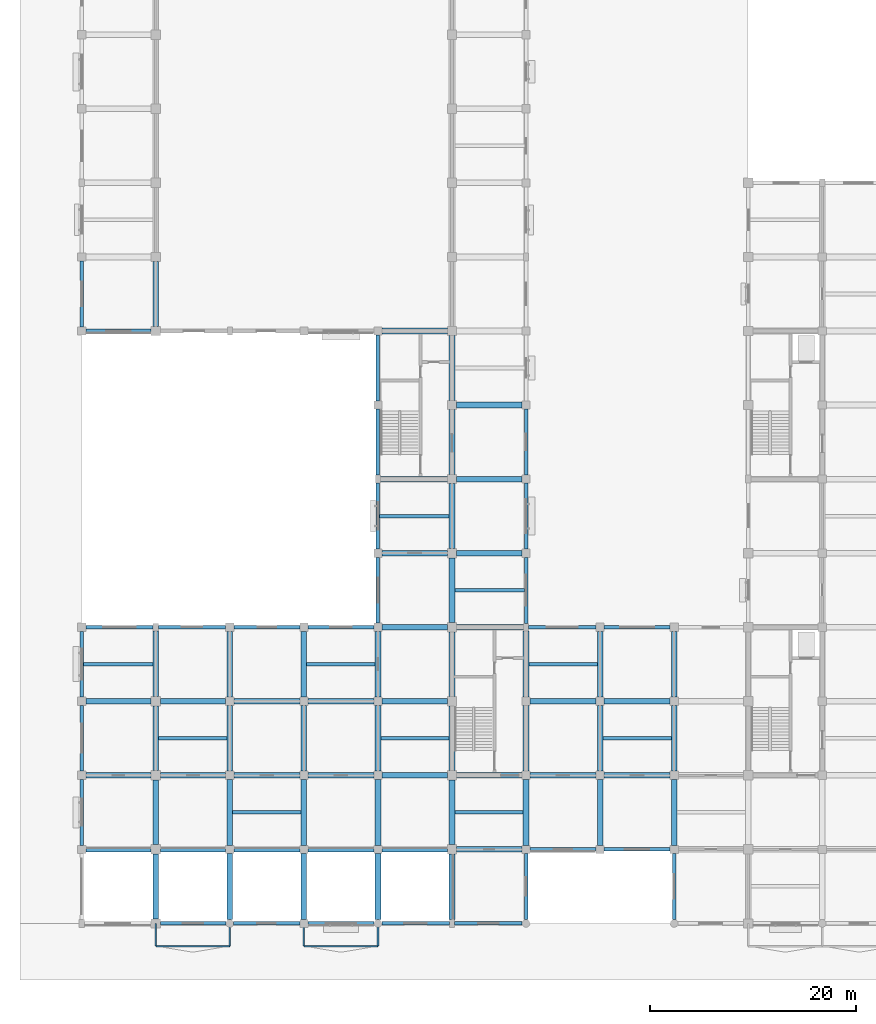
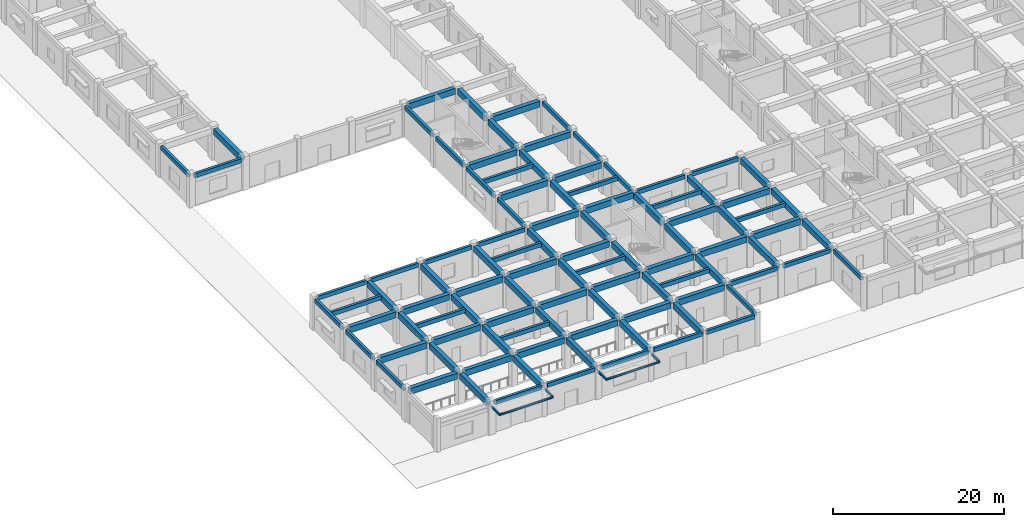
# One storey, part 2 of 37: 106 beams.
"""IFC4 building model written with IfcOpenShell, lengths in metres."""

from ifc_helpers import new_model, si_unit, direction, frame, origin, origin_2d, place, context, subcontext, project, spatial, rectangle, i_section, extrude, material, material_profile, profile_set, type_object, element, save


model = new_model("IFC4")

# Units and contexts
model_context = context("Model", 3, precision=1e-05, world=origin(), true_north=direction((0.0, 1.0)))
body_context = subcontext(model_context, "Body", "Model", "MODEL_VIEW")
ifc_project = project(units=[si_unit("LENGTHUNIT", "METRE"), si_unit("AREAUNIT", "SQUARE_METRE"), si_unit("VOLUMEUNIT", "CUBIC_METRE"), si_unit("PLANEANGLEUNIT", "RADIAN"), si_unit("MASSUNIT", "GRAM", prefix="KILO")], contexts=[model_context])

# Site, building, storey
site_placement = place(None, origin())
site = spatial("IfcSite", under=ifc_project, at=site_placement, CompositionType="ELEMENT")
building_placement = place(site_placement, origin())
building = spatial("IfcBuilding", under=site, at=building_placement, Name="Cendaluz Park School", CompositionType="ELEMENT")
storey_placement = place(building_placement, origin())
storey = spatial("IfcBuildingStorey", under=building, at=storey_placement, Name="L00", CompositionType="ELEMENT", Elevation=0.0)

# Beams
ifc_material_1 = material(Name="Concrete C40/50", Category="concrete")
ifc_material_profile_1 = material_profile(ifc_material_1, rectangle(XDim=0.550048828125, YDim=0.85009765625, at=origin_2d()), Name="RC 550x850", Category="concrete")
ifc_profile_set_1 = profile_set([ifc_material_profile_1], Name="Concrete C40/50")
beam_type_1 = type_object("IfcBeamType", Name="BM-RC01", PredefinedType="BEAM", material=ifc_profile_set_1)
for number, where, z_axis, x_axis, name in (
    (1, (0.39990234375, 7.199951171875, 4.044921875), (1.0, 0.0, 0.0), (0.0, 1.0, 0.0), "BM-L00-BMRC01-0002"),
    (2, (0.39990234375, 14.39990234375, 4.044921875), (1.0, 0.0, 0.0), (0.0, 1.0, 0.0), "BM-L00-BMRC01-0003"),
    (3, (0.39990234375, 21.60009765625, 4.044921875), (1.0, 0.0, 0.0), (0.0, 1.0, 0.0), "BM-L00-BMRC01-0004"),
    (4, (7.64990234375, 7.199951171875, 4.044921875), (1.0, 0.0, 0.0), (0.0, 1.0, 0.0), "BM-L00-BMRC01-0016"),
    (5, (7.64990234375, 14.39990234375, 4.044921875), (1.0, 0.0, 0.0), (0.0, 1.0, 0.0), "BM-L00-BMRC01-0017"),
    (6, (7.64990234375, 21.60009765625, 4.044921875), (1.0, 0.0, 0.0), (0.0, 1.0, 0.0), "BM-L00-BMRC01-0018"),
):
    element("IfcBeam", number, at=place(storey_placement, frame(where, z_axis=z_axis, x_axis=x_axis)), inside=storey, type_object=beam_type_1, Name=name, PredefinedType="BEAM", context=body_context, shape_type="SweptSolid", body=[
        extrude(rectangle(XDim=0.550048828125, YDim=0.85009765625, at=origin_2d()), origin(), (0.0, 0.0, 1.0), 6.35009765625),
    ])
for number, where, z_axis, x_axis, name in (
    (7, (14.800048828125, 7.199951171875, 4.044921875), (1.0, 0.0, 0.0), (0.0, 1.0, 0.0), "BM-L00-BMRC01-0024"),
    (8, (14.800048828125, 14.39990234375, 4.044921875), (1.0, 0.0, 0.0), (0.0, 1.0, 0.0), "BM-L00-BMRC01-0025"),
    (9, (14.800048828125, 21.60009765625, 4.044921875), (1.0, 0.0, 0.0), (0.0, 1.0, 0.0), "BM-L00-BMRC01-0026"),
    (10, (22.0, 7.199951171875, 4.044921875), (1.0, 0.0, 0.0), (0.0, 1.0, 0.0), "BM-L00-BMRC01-0032"),
    (11, (22.0, 14.39990234375, 4.044921875), (1.0, 0.0, 0.0), (0.0, 1.0, 0.0), "BM-L00-BMRC01-0033"),
    (12, (22.0, 21.60009765625, 4.044921875), (1.0, 0.0, 0.0), (0.0, 1.0, 0.0), "BM-L00-BMRC01-0034"),
):
    element("IfcBeam", number, at=place(storey_placement, frame(where, z_axis=z_axis, x_axis=x_axis)), inside=storey, type_object=beam_type_1, Name=name, PredefinedType="BEAM", context=body_context, shape_type="SweptSolid", body=[
        extrude(rectangle(XDim=0.550048828125, YDim=0.85009765625, at=origin_2d()), origin(), (0.0, 0.0, 1.0), 6.39990234375),
    ])
for number, where, z_axis, x_axis, name in (
    (13, (29.199951171875, 7.199951171875, 4.044921875), (1.0, 0.0, 0.0), (0.0, 1.0, 0.0), "BM-L00-BMRC01-0040"),
    (14, (29.199951171875, 14.39990234375, 4.044921875), (1.0, 0.0, 0.0), (0.0, 1.0, 0.0), "BM-L00-BMRC01-0041"),
    (15, (29.199951171875, 21.60009765625, 4.044921875), (1.0, 0.0, 0.0), (0.0, 1.0, 0.0), "BM-L00-BMRC01-0042"),
    (16, (29.199951171875, 28.800048828125, 4.044921875), (1.0, 0.0, 0.0), (0.0, 1.0, 0.0), "BM-L00-BMRC01-0043"),
    (17, (29.199951171875, 36.0, 4.044921875), (1.0, 0.0, 0.0), (0.0, 1.0, 0.0), "BM-L00-BMRC01-0044"),
):
    element("IfcBeam", number, at=place(storey_placement, frame(where, z_axis=z_axis, x_axis=x_axis)), inside=storey, type_object=beam_type_1, Name=name, PredefinedType="BEAM", context=body_context, shape_type="SweptSolid", body=[
        extrude(rectangle(XDim=0.550048828125, YDim=0.85009765625, at=origin_2d()), origin(), (0.0, 0.0, 1.0), 6.35009765625),
    ])
beam_1_placement = place(storey_placement, frame((29.050048828125, 43.199951171875, 4.044921875), z_axis=(1.0, 0.0, 0.0), x_axis=(0.0, 1.0, 0.0)))
element("IfcBeam", 18, at=beam_1_placement, inside=storey, type_object=beam_type_1, Name="BM-L00-BMRC01-0045", PredefinedType="BEAM", context=body_context, shape_type="SweptSolid", body=[
    extrude(rectangle(XDim=0.550048828125, YDim=0.85009765625, at=origin_2d()), origin(), (0.0, 0.0, 1.0), 6.5),
])
for number, where, z_axis, x_axis, name in (
    (19, (29.199951171875, 57.60009765625, 4.044921875), (1.0, 0.0, 0.0), (0.0, 1.0, 0.0), "BM-L00-BMRC01-0046"),
    (20, (36.449951171875, 7.199951171875, 4.044921875), (1.0, 0.0, 0.0), (0.0, 1.0, 0.0), "BM-L00-BMRC01-0051"),
    (21, (36.449951171875, 14.39990234375, 4.044921875), (1.0, 0.0, 0.0), (0.0, 1.0, 0.0), "BM-L00-BMRC01-0052"),
):
    element("IfcBeam", number, at=place(storey_placement, frame(where, z_axis=z_axis, x_axis=x_axis)), inside=storey, type_object=beam_type_1, Name=name, PredefinedType="BEAM", context=body_context, shape_type="SweptSolid", body=[
        extrude(rectangle(XDim=0.550048828125, YDim=0.85009765625, at=origin_2d()), origin(), (0.0, 0.0, 1.0), 6.35009765625),
    ])
beam_2_placement = place(storey_placement, frame((36.449951171875, 28.800048828125, 4.044921875), z_axis=(1.0, 0.0, 0.0), x_axis=(0.0, 1.0, 0.0)))
element("IfcBeam", 22, at=beam_2_placement, inside=storey, type_object=beam_type_1, Name="BM-L00-BMRC01-0053", PredefinedType="BEAM", context=body_context, shape_type="SweptSolid", body=[
    extrude(rectangle(XDim=0.550048828125, YDim=0.85009765625, at=origin_2d()), origin(), (0.0, 0.0, 1.0), 6.5),
])
for number, where, z_axis, x_axis, name in (
    (23, (36.449951171875, 36.0, 4.044921875), (1.0, 0.0, 0.0), (0.0, 1.0, 0.0), "BM-L00-BMRC01-0054"),
    (24, (36.449951171875, 43.199951171875, 4.044921875), (1.0, 0.0, 0.0), (0.0, 1.0, 0.0), "BM-L00-BMRC01-0055"),
    (25, (36.449951171875, 50.39990234375, 4.044921875), (1.0, 0.0, 0.0), (0.0, 1.0, 0.0), "BM-L00-BMRC01-0056"),
):
    element("IfcBeam", number, at=place(storey_placement, frame(where, z_axis=z_axis, x_axis=x_axis)), inside=storey, type_object=beam_type_1, Name=name, PredefinedType="BEAM", context=body_context, shape_type="SweptSolid", body=[
        extrude(rectangle(XDim=0.550048828125, YDim=0.85009765625, at=origin_2d()), origin(), (0.0, 0.0, 1.0), 6.35009765625),
    ])
for number, where, z_axis, x_axis, name in (
    (26, (43.60009765625, 14.39990234375, 4.044921875), (1.0, 0.0, 0.0), (0.0, 1.0, 0.0), "BM-L00-BMRC01-0067"),
    (27, (43.60009765625, 21.60009765625, 4.044921875), (1.0, 0.0, 0.0), (0.0, 1.0, 0.0), "BM-L00-BMRC01-0068"),
    (28, (50.800048828125, 14.39990234375, 4.044921875), (1.0, 0.0, 0.0), (0.0, 1.0, 0.0), "BM-L00-BMRC01-0071"),
    (29, (50.800048828125, 21.60009765625, 4.044921875), (1.0, 0.0, 0.0), (0.0, 1.0, 0.0), "BM-L00-BMRC01-0072"),
):
    element("IfcBeam", number, at=place(storey_placement, frame(where, z_axis=z_axis, x_axis=x_axis)), inside=storey, type_object=beam_type_1, Name=name, PredefinedType="BEAM", context=body_context, shape_type="SweptSolid", body=[
        extrude(rectangle(XDim=0.550048828125, YDim=0.85009765625, at=origin_2d()), origin(), (0.0, 0.0, 1.0), 6.39990234375),
    ])
for number, where, z_axis, x_axis, name in (
    (30, (7.199951171875, 0.449951171875, 4.044921875), (0.0, 1.0, 0.0), (-1.0, 0.0, 0.0), "BM-L00-BMRC01-0229"),
    (31, (7.199951171875, 7.64990234375, 4.044921875), (0.0, 1.0, 0.0), (-1.0, 0.0, 0.0), "BM-L00-BMRC01-0230"),
):
    element("IfcBeam", number, at=place(storey_placement, frame(where, z_axis=z_axis, x_axis=x_axis)), inside=storey, type_object=beam_type_1, Name=name, PredefinedType="BEAM", context=body_context, shape_type="SweptSolid", body=[
        extrude(rectangle(XDim=0.550048828125, YDim=0.85009765625, at=origin_2d()), origin(), (0.0, 0.0, 1.0), 6.300048828125),
    ])
beam_3_placement = place(storey_placement, frame((7.199951171875, 14.85009765625, 4.044921875), z_axis=(0.0, 1.0, 0.0), x_axis=(-1.0, 0.0, 0.0)))
element("IfcBeam", 32, at=beam_3_placement, inside=storey, type_object=beam_type_1, Name="BM-L00-BMRC01-0231", PredefinedType="BEAM", context=body_context, shape_type="SweptSolid", body=[
    extrude(rectangle(XDim=0.550048828125, YDim=0.85009765625, at=origin_2d()), origin(), (0.0, 0.0, 1.0), 6.2998046875),
])
beam_4_placement = place(storey_placement, frame((7.199951171875, 22.050048828125, 4.044921875), z_axis=(0.0, 1.0, 0.0), x_axis=(-1.0, 0.0, 0.0)))
element("IfcBeam", 33, at=beam_4_placement, inside=storey, type_object=beam_type_1, Name="BM-L00-BMRC01-0232", PredefinedType="BEAM", context=body_context, shape_type="SweptSolid", body=[
    extrude(rectangle(XDim=0.550048828125, YDim=0.85009765625, at=origin_2d()), origin(), (0.0, 0.0, 1.0), 6.375),
])
beam_5_placement = place(storey_placement, frame((7.199951171875, 58.050048828125, 4.044921875), z_axis=(0.0, 1.0, 0.0), x_axis=(-1.0, 0.0, 0.0)))
element("IfcBeam", 34, at=beam_5_placement, inside=storey, type_object=beam_type_1, Name="BM-L00-BMRC01-0233", PredefinedType="BEAM", context=body_context, shape_type="SweptSolid", body=[
    extrude(rectangle(XDim=0.550048828125, YDim=0.85009765625, at=origin_2d()), origin(), (0.0, 0.0, 1.0), 6.300048828125),
])
beam_6_placement = place(storey_placement, frame((14.39990234375, 0.375, 4.044921875), z_axis=(0.0, 1.0, 0.0), x_axis=(-1.0, 0.0, 0.0)))
element("IfcBeam", 35, at=beam_6_placement, inside=storey, type_object=beam_type_1, Name="BM-L00-BMRC01-0241", PredefinedType="BEAM", context=body_context, shape_type="SweptSolid", body=[
    extrude(rectangle(XDim=0.550048828125, YDim=0.85009765625, at=origin_2d()), origin(), (0.0, 0.0, 1.0), 6.425048828125),
])
for number, where, z_axis, x_axis, name in (
    (36, (14.39990234375, 7.60009765625, 4.044921875), (0.0, 1.0, 0.0), (-1.0, 0.0, 0.0), "BM-L00-BMRC01-0242"),
    (37, (14.39990234375, 14.800048828125, 4.044921875), (0.0, 1.0, 0.0), (-1.0, 0.0, 0.0), "BM-L00-BMRC01-0243"),
    (38, (14.39990234375, 22.0, 4.044921875), (0.0, 1.0, 0.0), (-1.0, 0.0, 0.0), "BM-L00-BMRC01-0244"),
):
    element("IfcBeam", number, at=place(storey_placement, frame(where, z_axis=z_axis, x_axis=x_axis)), inside=storey, type_object=beam_type_1, Name=name, PredefinedType="BEAM", context=body_context, shape_type="SweptSolid", body=[
        extrude(rectangle(XDim=0.550048828125, YDim=0.85009765625, at=origin_2d()), origin(), (0.0, 0.0, 1.0), 6.39990234375),
    ])
beam_7_placement = place(storey_placement, frame((21.60009765625, 0.39990234375, 4.044921875), z_axis=(0.0, 1.0, 0.0), x_axis=(-1.0, 0.0, 0.0)))
element("IfcBeam", 39, at=beam_7_placement, inside=storey, type_object=beam_type_1, Name="BM-L00-BMRC01-0247", PredefinedType="BEAM", context=body_context, shape_type="SweptSolid", body=[
    extrude(rectangle(XDim=0.550048828125, YDim=0.85009765625, at=origin_2d()), origin(), (0.0, 0.0, 1.0), 6.400146484375),
])
for number, where, z_axis, x_axis, name in (
    (40, (21.60009765625, 7.60009765625, 4.044921875), (0.0, 1.0, 0.0), (-1.0, 0.0, 0.0), "BM-L00-BMRC01-0248"),
    (41, (21.60009765625, 14.800048828125, 4.044921875), (0.0, 1.0, 0.0), (-1.0, 0.0, 0.0), "BM-L00-BMRC01-0249"),
    (42, (21.60009765625, 22.0, 4.044921875), (0.0, 1.0, 0.0), (-1.0, 0.0, 0.0), "BM-L00-BMRC01-0250"),
):
    element("IfcBeam", number, at=place(storey_placement, frame(where, z_axis=z_axis, x_axis=x_axis)), inside=storey, type_object=beam_type_1, Name=name, PredefinedType="BEAM", context=body_context, shape_type="SweptSolid", body=[
        extrude(rectangle(XDim=0.550048828125, YDim=0.85009765625, at=origin_2d()), origin(), (0.0, 0.0, 1.0), 6.39990234375),
    ])
beam_8_placement = place(storey_placement, frame((28.800048828125, 0.375, 4.044921875), z_axis=(0.0, 1.0, 0.0), x_axis=(-1.0, 0.0, 0.0)))
element("IfcBeam", 43, at=beam_8_placement, inside=storey, type_object=beam_type_1, Name="BM-L00-BMRC01-0253", PredefinedType="BEAM", context=body_context, shape_type="SweptSolid", body=[
    extrude(rectangle(XDim=0.550048828125, YDim=0.85009765625, at=origin_2d()), origin(), (0.0, 0.0, 1.0), 6.425048828125),
])
for number, where, z_axis, x_axis, name in (
    (44, (28.800048828125, 7.60009765625, 4.044921875), (0.0, 1.0, 0.0), (-1.0, 0.0, 0.0), "BM-L00-BMRC01-0254"),
    (45, (28.800048828125, 14.800048828125, 4.044921875), (0.0, 1.0, 0.0), (-1.0, 0.0, 0.0), "BM-L00-BMRC01-0255"),
    (46, (28.800048828125, 22.0, 4.044921875), (0.0, 1.0, 0.0), (-1.0, 0.0, 0.0), "BM-L00-BMRC01-0256"),
):
    element("IfcBeam", number, at=place(storey_placement, frame(where, z_axis=z_axis, x_axis=x_axis)), inside=storey, type_object=beam_type_1, Name=name, PredefinedType="BEAM", context=body_context, shape_type="SweptSolid", body=[
        extrude(rectangle(XDim=0.550048828125, YDim=0.85009765625, at=origin_2d()), origin(), (0.0, 0.0, 1.0), 6.39990234375),
    ])
beam_9_placement = place(storey_placement, frame((36.0, 0.375, 4.044921875), z_axis=(0.0, 1.0, 0.0), x_axis=(-1.0, 0.0, 0.0)))
element("IfcBeam", 47, at=beam_9_placement, inside=storey, type_object=beam_type_1, Name="BM-L00-BMRC01-0263", PredefinedType="BEAM", context=body_context, shape_type="SweptSolid", body=[
    extrude(rectangle(XDim=0.550048828125, YDim=0.85009765625, at=origin_2d()), origin(), (0.0, 0.0, 1.0), 6.375),
])
beam_10_placement = place(storey_placement, frame((36.0, 7.64990234375, 4.044921875), z_axis=(0.0, 1.0, 0.0), x_axis=(-1.0, 0.0, 0.0)))
element("IfcBeam", 48, at=beam_10_placement, inside=storey, type_object=beam_type_1, Name="BM-L00-BMRC01-0264", PredefinedType="BEAM", context=body_context, shape_type="SweptSolid", body=[
    extrude(rectangle(XDim=0.550048828125, YDim=0.85009765625, at=origin_2d()), origin(), (0.0, 0.0, 1.0), 6.300048828125),
])
beam_11_placement = place(storey_placement, frame((36.0, 14.85009765625, 4.044921875), z_axis=(0.0, 1.0, 0.0), x_axis=(-1.0, 0.0, 0.0)))
element("IfcBeam", 49, at=beam_11_placement, inside=storey, type_object=beam_type_1, Name="BM-L00-BMRC01-0265", PredefinedType="BEAM", context=body_context, shape_type="SweptSolid", body=[
    extrude(rectangle(XDim=0.550048828125, YDim=0.85009765625, at=origin_2d()), origin(), (0.0, 0.0, 1.0), 6.2998046875),
])
for number, where, z_axis, x_axis, name in (
    (50, (36.0, 22.050048828125, 4.044921875), (0.0, 1.0, 0.0), (-1.0, 0.0, 0.0), "BM-L00-BMRC01-0266"),
    (51, (36.0, 29.25, 4.044921875), (0.0, 1.0, 0.0), (-1.0, 0.0, 0.0), "BM-L00-BMRC01-0267"),
    (52, (36.0, 36.449951171875, 4.044921875), (0.0, 1.0, 0.0), (-1.0, 0.0, 0.0), "BM-L00-BMRC01-0268"),
    (53, (36.0, 43.64990234375, 4.044921875), (0.0, 1.0, 0.0), (-1.0, 0.0, 0.0), "BM-L00-BMRC01-0269"),
):
    element("IfcBeam", number, at=place(storey_placement, frame(where, z_axis=z_axis, x_axis=x_axis)), inside=storey, type_object=beam_type_1, Name=name, PredefinedType="BEAM", context=body_context, shape_type="SweptSolid", body=[
        extrude(rectangle(XDim=0.550048828125, YDim=0.85009765625, at=origin_2d()), origin(), (0.0, 0.0, 1.0), 6.300048828125),
    ])
beam_12_placement = place(storey_placement, frame((36.0, 50.85009765625, 4.044921875), z_axis=(0.0, 1.0, 0.0), x_axis=(-1.0, 0.0, 0.0)))
element("IfcBeam", 54, at=beam_12_placement, inside=storey, type_object=beam_type_1, Name="BM-L00-BMRC01-0270", PredefinedType="BEAM", context=body_context, shape_type="SweptSolid", body=[
    extrude(rectangle(XDim=0.550048828125, YDim=0.85009765625, at=origin_2d()), origin(), (0.0, 0.0, 1.0), 6.2998046875),
])
for number, where, z_axis, x_axis, name in (
    (55, (43.199951171875, 7.60009765625, 4.044921875), (0.0, 1.0, 0.0), (-1.0, 0.0, 0.0), "BM-L00-BMRC01-0280"),
    (56, (43.199951171875, 14.800048828125, 4.044921875), (0.0, 1.0, 0.0), (-1.0, 0.0, 0.0), "BM-L00-BMRC01-0281"),
):
    element("IfcBeam", number, at=place(storey_placement, frame(where, z_axis=z_axis, x_axis=x_axis)), inside=storey, type_object=beam_type_1, Name=name, PredefinedType="BEAM", context=body_context, shape_type="SweptSolid", body=[
        extrude(rectangle(XDim=0.550048828125, YDim=0.85009765625, at=origin_2d()), origin(), (0.0, 0.0, 1.0), 6.39990234375),
    ])
beam_13_placement = place(storey_placement, frame((43.199951171875, 22.0, 4.044921875), z_axis=(0.0, 1.0, 0.0), x_axis=(-1.0, 0.0, 0.0)))
element("IfcBeam", 57, at=beam_13_placement, inside=storey, type_object=beam_type_1, Name="BM-L00-BMRC01-0282", PredefinedType="BEAM", context=body_context, shape_type="SweptSolid", body=[
    extrude(rectangle(XDim=0.550048828125, YDim=0.85009765625, at=origin_2d()), origin(), (0.0, 0.0, 1.0), 6.425048828125),
])
for number, where, z_axis, x_axis, name in (
    (58, (50.39990234375, 7.60009765625, 4.044921875), (0.0, 1.0, 0.0), (-1.0, 0.0, 0.0), "BM-L00-BMRC01-0295"),
    (59, (50.39990234375, 14.800048828125, 4.044921875), (0.0, 1.0, 0.0), (-1.0, 0.0, 0.0), "BM-L00-BMRC01-0296"),
    (60, (50.39990234375, 22.0, 4.044921875), (0.0, 1.0, 0.0), (-1.0, 0.0, 0.0), "BM-L00-BMRC01-0297"),
    (61, (57.60009765625, 7.60009765625, 4.044921875), (0.0, 1.0, 0.0), (-1.0, 0.0, 0.0), "BM-L00-BMRC01-0299"),
    (62, (57.60009765625, 14.800048828125, 4.044921875), (0.0, 1.0, 0.0), (-1.0, 0.0, 0.0), "BM-L00-BMRC01-0300"),
    (63, (57.60009765625, 22.0, 4.044921875), (0.0, 1.0, 0.0), (-1.0, 0.0, 0.0), "BM-L00-BMRC01-0301"),
):
    element("IfcBeam", number, at=place(storey_placement, frame(where, z_axis=z_axis, x_axis=x_axis)), inside=storey, type_object=beam_type_1, Name=name, PredefinedType="BEAM", context=body_context, shape_type="SweptSolid", body=[
        extrude(rectangle(XDim=0.550048828125, YDim=0.85009765625, at=origin_2d()), origin(), (0.0, 0.0, 1.0), 6.39990234375),
    ])
ifc_material_profile_2 = material_profile(ifc_material_1, rectangle(XDim=0.35009765625, YDim=0.580078125, at=origin_2d()), Name="RC 350x580", Category="concrete")
ifc_profile_set_2 = profile_set([ifc_material_profile_2], Name="Concrete C40/50")
beam_type_2 = type_object("IfcBeamType", Name="BM-RC04", PredefinedType="LINTEL", material=ifc_profile_set_2)
beam_14_placement = place(storey_placement, frame((0.39990234375, 28.800048828125, 4.179931640625), z_axis=(1.0, 0.0, 0.0), x_axis=(0.0, 1.0, 0.0)))
element("IfcBeam", 64, at=beam_14_placement, inside=storey, type_object=beam_type_2, Name="BM-L00-BMRC04-0005", PredefinedType="LINTEL", context=body_context, shape_type="SweptSolid", body=[
    extrude(rectangle(XDim=0.35009765625, YDim=0.580078125, at=origin_2d()), origin(), (0.0, 0.0, 1.0), 6.550048828125),
])
beam_15_placement = place(storey_placement, frame((0.39990234375, 57.60009765625, 4.179931640625), z_axis=(1.0, 0.0, 0.0), x_axis=(0.0, 1.0, 0.0)))
element("IfcBeam", 65, at=beam_15_placement, inside=storey, type_object=beam_type_2, Name="BM-L00-BMRC04-0006", PredefinedType="LINTEL", context=body_context, shape_type="SweptSolid", body=[
    extrude(rectangle(XDim=0.35009765625, YDim=0.580078125, at=origin_2d()), origin(), (0.0, 0.0, 1.0), 6.35009765625),
])
beam_16_placement = place(storey_placement, frame((7.64990234375, 0.0, 4.179931640625), z_axis=(1.0, 0.0, 0.0), x_axis=(0.0, 1.0, 0.0)))
element("IfcBeam", 66, at=beam_16_placement, inside=storey, type_object=beam_type_2, Name="BM-L00-BMRC04-0015", PredefinedType="LINTEL", context=body_context, shape_type="SweptSolid", body=[
    extrude(rectangle(XDim=0.35009765625, YDim=0.580078125, at=origin_2d()), origin(), (0.0, 0.0, 1.0), 6.375),
])
beam_17_placement = place(storey_placement, frame((7.449951171875, 28.800048828125, 4.179931640625), z_axis=(1.0, 0.0, 0.0), x_axis=(0.0, 1.0, 0.0)))
element("IfcBeam", 67, at=beam_17_placement, inside=storey, type_object=beam_type_2, Name="BM-L00-BMRC04-0019", PredefinedType="LINTEL", context=body_context, shape_type="SweptSolid", body=[
    extrude(rectangle(XDim=0.35009765625, YDim=0.580078125, at=origin_2d()), origin(), (0.0, 0.0, 1.0), 6.550048828125),
])
beam_18_placement = place(storey_placement, frame((14.77490234375, 0.0, 4.179931640625), z_axis=(1.0, 0.0, 0.0), x_axis=(0.0, 1.0, 0.0)))
element("IfcBeam", 68, at=beam_18_placement, inside=storey, type_object=beam_type_2, Name="BM-L00-BMRC04-0023", PredefinedType="LINTEL", context=body_context, shape_type="SweptSolid", body=[
    extrude(rectangle(XDim=0.35009765625, YDim=0.580078125, at=origin_2d()), origin(), (0.0, 0.0, 1.0), 6.425048828125),
])
beam_19_placement = place(storey_placement, frame((14.800048828125, 28.800048828125, 4.179931640625), z_axis=(1.0, 0.0, 0.0), x_axis=(0.0, 1.0, 0.0)))
element("IfcBeam", 69, at=beam_19_placement, inside=storey, type_object=beam_type_2, Name="BM-L00-BMRC04-0027", PredefinedType="LINTEL", context=body_context, shape_type="SweptSolid", body=[
    extrude(rectangle(XDim=0.35009765625, YDim=0.580078125, at=origin_2d()), origin(), (0.0, 0.0, 1.0), 6.39990234375),
])
beam_20_placement = place(storey_placement, frame((22.0, 0.0, 4.179931640625), z_axis=(1.0, 0.0, 0.0), x_axis=(0.0, 1.0, 0.0)))
element("IfcBeam", 70, at=beam_20_placement, inside=storey, type_object=beam_type_2, Name="BM-L00-BMRC04-0031", PredefinedType="LINTEL", context=body_context, shape_type="SweptSolid", body=[
    extrude(rectangle(XDim=0.35009765625, YDim=0.580078125, at=origin_2d()), origin(), (0.0, 0.0, 1.0), 6.425048828125),
])
beam_21_placement = place(storey_placement, frame((22.0, 28.800048828125, 4.179931640625), z_axis=(1.0, 0.0, 0.0), x_axis=(0.0, 1.0, 0.0)))
element("IfcBeam", 71, at=beam_21_placement, inside=storey, type_object=beam_type_2, Name="BM-L00-BMRC04-0035", PredefinedType="LINTEL", context=body_context, shape_type="SweptSolid", body=[
    extrude(rectangle(XDim=0.35009765625, YDim=0.580078125, at=origin_2d()), origin(), (0.0, 0.0, 1.0), 6.39990234375),
])
for number, where, z_axis, x_axis, name in (
    (72, (29.175048828125, 0.0, 4.179931640625), (1.0, 0.0, 0.0), (0.0, 1.0, 0.0), "BM-L00-BMRC04-0039"),
    (73, (36.25, 0.0, 4.179931640625), (1.0, 0.0, 0.0), (0.0, 1.0, 0.0), "BM-L00-BMRC04-0050"),
):
    element("IfcBeam", number, at=place(storey_placement, frame(where, z_axis=z_axis, x_axis=x_axis)), inside=storey, type_object=beam_type_2, Name=name, PredefinedType="LINTEL", context=body_context, shape_type="SweptSolid", body=[
        extrude(rectangle(XDim=0.35009765625, YDim=0.580078125, at=origin_2d()), origin(), (0.0, 0.0, 1.0), 6.574951171875),
    ])
beam_22_placement = place(storey_placement, frame((43.60009765625, 7.199951171875, 4.179931640625), z_axis=(1.0, 0.0, 0.0), x_axis=(0.0, 1.0, 0.0)))
element("IfcBeam", 74, at=beam_22_placement, inside=storey, type_object=beam_type_2, Name="BM-L00-BMRC04-0066", PredefinedType="LINTEL", context=body_context, shape_type="SweptSolid", body=[
    extrude(rectangle(XDim=0.35009765625, YDim=0.580078125, at=origin_2d()), origin(), (0.0, 0.0, 1.0), 6.39990234375),
])
beam_23_placement = place(storey_placement, frame((43.449951171875, 28.800048828125, 4.179931640625), z_axis=(1.0, 0.0, 0.0), x_axis=(0.0, 1.0, 0.0)))
element("IfcBeam", 75, at=beam_23_placement, inside=storey, type_object=beam_type_2, Name="BM-L00-BMRC04-0069", PredefinedType="LINTEL", context=body_context, shape_type="SweptSolid", body=[
    extrude(rectangle(XDim=0.35009765625, YDim=0.580078125, at=origin_2d()), origin(), (0.0, 0.0, 1.0), 6.550048828125),
])
for number, where, z_axis, x_axis, name in (
    (76, (50.800048828125, 7.199951171875, 4.179931640625), (1.0, 0.0, 0.0), (0.0, 1.0, 0.0), "BM-L00-BMRC04-0070"),
    (77, (50.800048828125, 28.800048828125, 4.179931640625), (1.0, 0.0, 0.0), (0.0, 1.0, 0.0), "BM-L00-BMRC04-0073"),
    (78, (0.0, 7.60009765625, 4.179931640625), (0.0, 1.0, 0.0), (-1.0, 0.0, 0.0), "BM-L00-BMRC04-0218"),
    (79, (0.0, 14.800048828125, 4.179931640625), (0.0, 1.0, 0.0), (-1.0, 0.0, 0.0), "BM-L00-BMRC04-0219"),
    (80, (0.0, 22.0, 4.179931640625), (0.0, 1.0, 0.0), (-1.0, 0.0, 0.0), "BM-L00-BMRC04-0220"),
    (81, (0.0, 58.0, 4.179931640625), (0.0, 1.0, 0.0), (-1.0, 0.0, 0.0), "BM-L00-BMRC04-0221"),
):
    element("IfcBeam", number, at=place(storey_placement, frame(where, z_axis=z_axis, x_axis=x_axis)), inside=storey, type_object=beam_type_2, Name=name, PredefinedType="LINTEL", context=body_context, shape_type="SweptSolid", body=[
        extrude(rectangle(XDim=0.35009765625, YDim=0.580078125, at=origin_2d()), origin(), (0.0, 0.0, 1.0), 6.39990234375),
    ])
beam_24_placement = place(storey_placement, frame((28.800048828125, 29.199951171875, 4.179931640625), z_axis=(0.0, 1.0, 0.0), x_axis=(-1.0, 0.0, 0.0)))
element("IfcBeam", 82, at=beam_24_placement, inside=storey, type_object=beam_type_2, Name="BM-L00-BMRC04-0257", PredefinedType="LINTEL", context=body_context, shape_type="SweptSolid", body=[
    extrude(rectangle(XDim=0.35009765625, YDim=0.580078125, at=origin_2d()), origin(), (0.0, 0.0, 1.0), 6.400146484375),
])
for number, where, z_axis, x_axis, name in (
    (83, (28.800048828125, 36.39990234375, 4.179931640625), (0.0, 1.0, 0.0), (-1.0, 0.0, 0.0), "BM-L00-BMRC04-0258"),
    (84, (28.800048828125, 43.574951171875, 4.179931640625), (0.0, 1.0, 0.0), (-1.0, 0.0, 0.0), "BM-L00-BMRC04-0259"),
):
    element("IfcBeam", number, at=place(storey_placement, frame(where, z_axis=z_axis, x_axis=x_axis)), inside=storey, type_object=beam_type_2, Name=name, PredefinedType="LINTEL", context=body_context, shape_type="SweptSolid", body=[
        extrude(rectangle(XDim=0.35009765625, YDim=0.580078125, at=origin_2d()), origin(), (0.0, 0.0, 1.0), 6.425048828125),
    ])
beam_25_placement = place(storey_placement, frame((28.800048828125, 50.800048828125, 4.179931640625), z_axis=(0.0, 1.0, 0.0), x_axis=(-1.0, 0.0, 0.0)))
element("IfcBeam", 85, at=beam_25_placement, inside=storey, type_object=beam_type_2, Name="BM-L00-BMRC04-0260", PredefinedType="LINTEL", context=body_context, shape_type="SweptSolid", body=[
    extrude(rectangle(XDim=0.35009765625, YDim=0.580078125, at=origin_2d()), origin(), (0.0, 0.0, 1.0), 6.39990234375),
])
for number, where, z_axis, x_axis, name in (
    (86, (43.199951171875, 0.375, 4.179931640625), (0.0, 1.0, 0.0), (-1.0, 0.0, 0.0), "BM-L00-BMRC04-0279"),
    (87, (43.199951171875, 29.175048828125, 4.179931640625), (0.0, 1.0, 0.0), (-1.0, 0.0, 0.0), "BM-L00-BMRC04-0283"),
):
    element("IfcBeam", number, at=place(storey_placement, frame(where, z_axis=z_axis, x_axis=x_axis)), inside=storey, type_object=beam_type_2, Name=name, PredefinedType="LINTEL", context=body_context, shape_type="SweptSolid", body=[
        extrude(rectangle(XDim=0.35009765625, YDim=0.580078125, at=origin_2d()), origin(), (0.0, 0.0, 1.0), 6.425048828125),
    ])
beam_26_placement = place(storey_placement, frame((43.199951171875, 36.39990234375, 4.179931640625), z_axis=(0.0, 1.0, 0.0), x_axis=(-1.0, 0.0, 0.0)))
element("IfcBeam", 88, at=beam_26_placement, inside=storey, type_object=beam_type_2, Name="BM-L00-BMRC04-0284", PredefinedType="LINTEL", context=body_context, shape_type="SweptSolid", body=[
    extrude(rectangle(XDim=0.35009765625, YDim=0.580078125, at=origin_2d()), origin(), (0.0, 0.0, 1.0), 6.400146484375),
])
beam_27_placement = place(storey_placement, frame((43.199951171875, 43.60009765625, 4.179931640625), z_axis=(0.0, 1.0, 0.0), x_axis=(-1.0, 0.0, 0.0)))
element("IfcBeam", 89, at=beam_27_placement, inside=storey, type_object=beam_type_2, Name="BM-L00-BMRC04-0285", PredefinedType="LINTEL", context=body_context, shape_type="SweptSolid", body=[
    extrude(rectangle(XDim=0.35009765625, YDim=0.580078125, at=origin_2d()), origin(), (0.0, 0.0, 1.0), 6.39990234375),
])
beam_28_placement = place(storey_placement, frame((57.60009765625, 0.375, 4.179931640625), z_axis=(0.0, 1.0, 0.0), x_axis=(-1.0, 0.0, 0.0)))
element("IfcBeam", 90, at=beam_28_placement, inside=storey, type_object=beam_type_2, Name="BM-L00-BMRC04-0298", PredefinedType="LINTEL", context=body_context, shape_type="SweptSolid", body=[
    extrude(rectangle(XDim=0.35009765625, YDim=0.580078125, at=origin_2d()), origin(), (0.0, 0.0, 1.0), 6.425048828125),
])
ifc_material_2 = material(Name="Steel S355", Category="steel")
ifc_material_profile_3 = material_profile(ifc_material_2, i_section(OverallWidth=0.159912109375, OverallDepth=0.330078125, WebThickness=0.008056640625, FlangeThickness=0.011962890625, FilletRadius=0.01806640625, at=origin_2d()), Name="IPE 330", Category="steel")
ifc_profile_set_3 = profile_set([ifc_material_profile_3], Name="Steel S355")
beam_type_3 = type_object("IfcBeamType", Name="BM-ST08", PredefinedType="LINTEL", material=ifc_profile_set_3)
for number, where, z_axis, x_axis, name in (
    (91, (7.199951171875, 0.0, 3.875), (0.0, -1.0, 0.0), (1.0, 0.0, 0.0), "BM-CN-L00-01-1"),
    (92, (14.39990234375, 0.0, 3.875), (0.0, -1.0, 0.0), (1.0, 0.0, 0.0), "BM-CN-L00-01-2"),
    (93, (21.60009765625, 0.0, 3.875), (0.0, -1.0, 0.0), (1.0, 0.0, 0.0), "BM-CN-L00-02-1"),
    (94, (28.800048828125, 0.0, 3.875), (0.0, -1.0, 0.0), (1.0, 0.0, 0.0), "BM-CN-L00-02-2"),
):
    element("IfcBeam", number, at=place(storey_placement, frame(where, z_axis=z_axis, x_axis=x_axis)), inside=storey, type_object=beam_type_3, Name=name, PredefinedType="LINTEL", context=body_context, shape_type="SweptSolid", body=[
        extrude(i_section(OverallWidth=0.159912109375, OverallDepth=0.330078125, WebThickness=0.008056640625, FlangeThickness=0.011962890625, FilletRadius=0.01806640625, at=origin_2d()), origin(), (0.0, 0.0, 1.0), 2.199951171875),
    ])
ifc_material_profile_4 = material_profile(ifc_material_2, i_section(OverallWidth=0.135009765625, OverallDepth=0.27001953125, WebThickness=0.007080078125, FlangeThickness=0.010009765625, FilletRadius=0.014892578125, at=origin_2d()), Name="IPE 270", Category="steel")
ifc_profile_set_4 = profile_set([ifc_material_profile_4], Name="Steel S355")
beam_type_4 = type_object("IfcBeamType", Name="BM-ST09", PredefinedType="SPANDREL", material=ifc_profile_set_4)
for number, where, z_axis, x_axis, name in (
    (95, (7.199951171875, -2.199951171875, 3.905029296875), (1.0, 0.0, 0.0), (0.0, 1.0, 0.0), "BM-CNT-L00-01"),
    (96, (21.60009765625, -2.199951171875, 3.905029296875), (1.0, 0.0, 0.0), (0.0, 1.0, 0.0), "BM-CNT-L00-02"),
):
    element("IfcBeam", number, at=place(storey_placement, frame(where, z_axis=z_axis, x_axis=x_axis)), inside=storey, type_object=beam_type_4, Name=name, PredefinedType="SPANDREL", context=body_context, shape_type="SweptSolid", body=[
        extrude(i_section(OverallWidth=0.135009765625, OverallDepth=0.27001953125, WebThickness=0.007080078125, FlangeThickness=0.010009765625, FilletRadius=0.014892578125, at=origin_2d()), origin(), (0.0, 0.0, 1.0), 7.199951171875),
    ])
ifc_material_profile_5 = material_profile(ifc_material_1, rectangle(XDim=0.35009765625, YDim=0.580078125, at=origin_2d()), Name="RC 350x580", Category="concrete")
ifc_profile_set_5 = profile_set([ifc_material_profile_5], Name="Concrete C40/50")
beam_type_5 = type_object("IfcBeamType", Name="JT-RC01", PredefinedType="JOIST", material=ifc_profile_set_5)
beam_29_placement = place(storey_placement, frame((0.175048828125, 25.199951171875, 4.179931640625), z_axis=(1.0, 0.0, 0.0), x_axis=(0.0, 1.0, 0.0)))
element("IfcBeam", 97, at=beam_29_placement, inside=storey, type_object=beam_type_5, Name="BM-L00-JTRC01-0458", PredefinedType="JOIST", context=body_context, shape_type="SweptSolid", body=[
    extrude(rectangle(XDim=0.35009765625, YDim=0.580078125, at=origin_2d()), origin(), (0.0, 0.0, 1.0), 6.75),
])
for number, where, z_axis, x_axis, name in (
    (98, (7.47509765625, 18.0, 4.179931640625), (1.0, 0.0, 0.0), (0.0, 1.0, 0.0), "BM-L00-JTRC01-0462"),
    (99, (14.675048828125, 10.800048828125, 4.179931640625), (1.0, 0.0, 0.0), (0.0, 1.0, 0.0), "BM-L00-JTRC01-0464"),
    (100, (21.875, 25.199951171875, 4.179931640625), (1.0, 0.0, 0.0), (0.0, 1.0, 0.0), "BM-L00-JTRC01-0465"),
):
    element("IfcBeam", number, at=place(storey_placement, frame(where, z_axis=z_axis, x_axis=x_axis)), inside=storey, type_object=beam_type_5, Name=name, PredefinedType="JOIST", context=body_context, shape_type="SweptSolid", body=[
        extrude(rectangle(XDim=0.35009765625, YDim=0.580078125, at=origin_2d()), origin(), (0.0, 0.0, 1.0), 6.64990234375),
    ])
beam_30_placement = place(storey_placement, frame((29.074951171875, 18.0, 4.179931640625), z_axis=(1.0, 0.0, 0.0), x_axis=(0.0, 1.0, 0.0)))
element("IfcBeam", 101, at=beam_30_placement, inside=storey, type_object=beam_type_5, Name="BM-L00-JTRC01-0467", PredefinedType="JOIST", context=body_context, shape_type="SweptSolid", body=[
    extrude(rectangle(XDim=0.35009765625, YDim=0.580078125, at=origin_2d()), origin(), (0.0, 0.0, 1.0), 6.650146484375),
])
beam_31_placement = place(storey_placement, frame((28.97509765625, 39.60009765625, 4.179931640625), z_axis=(1.0, 0.0, 0.0), x_axis=(0.0, 1.0, 0.0)))
element("IfcBeam", 102, at=beam_31_placement, inside=storey, type_object=beam_type_5, Name="BM-L00-JTRC01-0468", PredefinedType="JOIST", context=body_context, shape_type="SweptSolid", body=[
    extrude(rectangle(XDim=0.35009765625, YDim=0.580078125, at=origin_2d()), origin(), (0.0, 0.0, 1.0), 6.75),
])
beam_32_placement = place(storey_placement, frame((36.27490234375, 10.800048828125, 4.179931640625), z_axis=(1.0, 0.0, 0.0), x_axis=(0.0, 1.0, 0.0)))
element("IfcBeam", 103, at=beam_32_placement, inside=storey, type_object=beam_type_5, Name="BM-L00-JTRC01-0470", PredefinedType="JOIST", context=body_context, shape_type="SweptSolid", body=[
    extrude(rectangle(XDim=0.35009765625, YDim=0.580078125, at=origin_2d()), origin(), (0.0, 0.0, 1.0), 6.650146484375),
])
beam_33_placement = place(storey_placement, frame((36.27490234375, 32.39990234375, 4.179931640625), z_axis=(1.0, 0.0, 0.0), x_axis=(0.0, 1.0, 0.0)))
element("IfcBeam", 104, at=beam_33_placement, inside=storey, type_object=beam_type_5, Name="BM-L00-JTRC01-0471", PredefinedType="JOIST", context=body_context, shape_type="SweptSolid", body=[
    extrude(rectangle(XDim=0.35009765625, YDim=0.580078125, at=origin_2d()), origin(), (0.0, 0.0, 1.0), 6.75),
])
for number, where, z_axis, x_axis, name in (
    (105, (43.47509765625, 25.199951171875, 4.179931640625), (1.0, 0.0, 0.0), (0.0, 1.0, 0.0), "BM-L00-JTRC01-0475"),
    (106, (50.675048828125, 18.0, 4.179931640625), (1.0, 0.0, 0.0), (0.0, 1.0, 0.0), "BM-L00-JTRC01-0476"),
):
    element("IfcBeam", number, at=place(storey_placement, frame(where, z_axis=z_axis, x_axis=x_axis)), inside=storey, type_object=beam_type_5, Name=name, PredefinedType="JOIST", context=body_context, shape_type="SweptSolid", body=[
        extrude(rectangle(XDim=0.35009765625, YDim=0.580078125, at=origin_2d()), origin(), (0.0, 0.0, 1.0), 6.64990234375),
    ])

save(model, "model.ifc")
